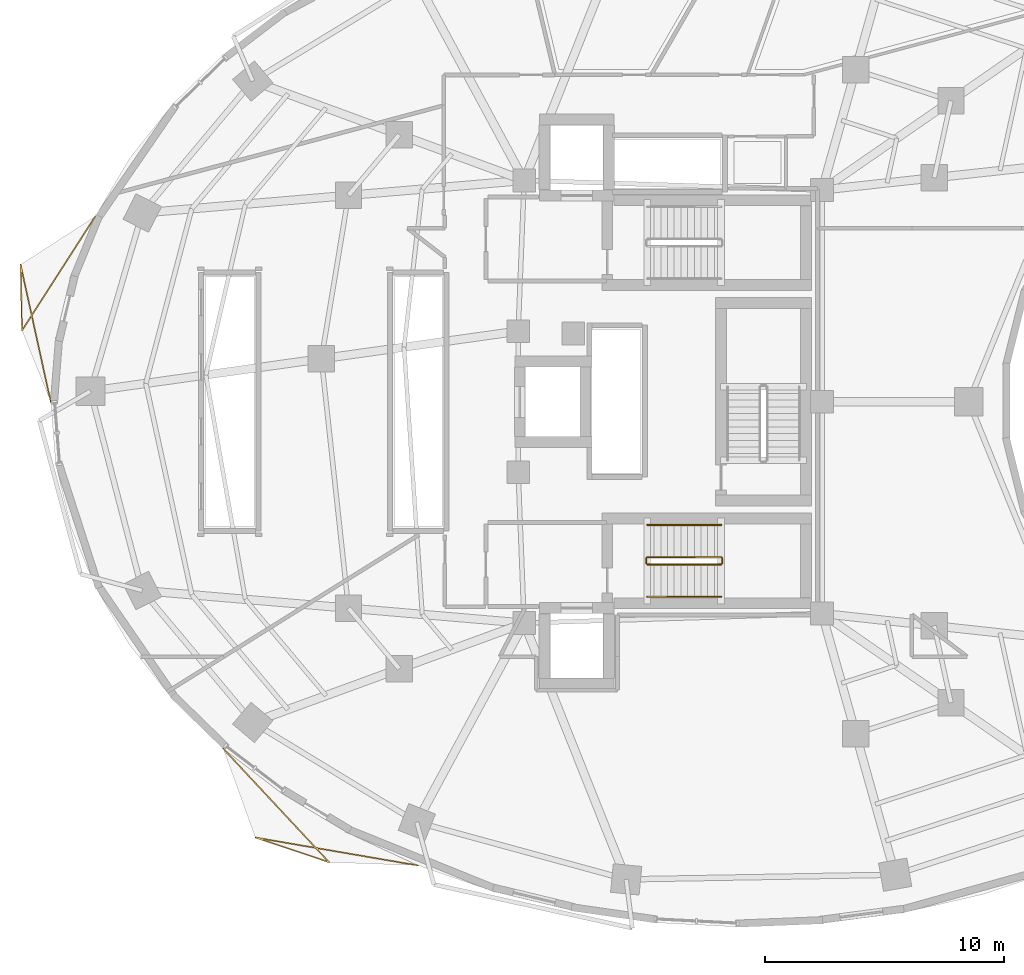
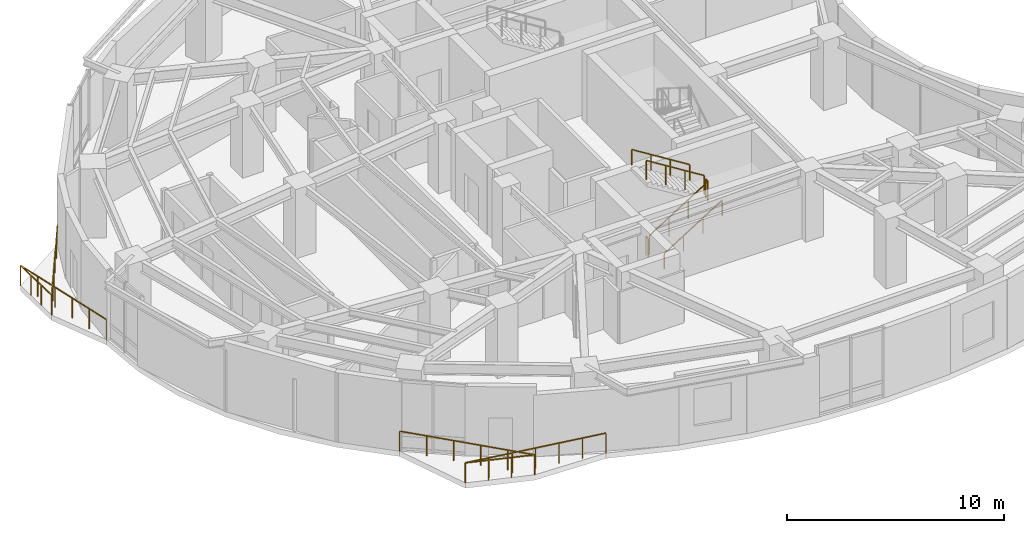
# One storey, part 11 of 12: 8 railings.
"""IFC4 building model written with IfcOpenShell, lengths in metres."""

from ifc_helpers import new_model, si_unit, direction, frame, origin, origin_2d, place, context, subcontext, project, spatial, rectangle, extrude, material, type_object, element, save


model = new_model("IFC4")

# Units and contexts
model_context = context("Model", 3, precision=1e-05, world=origin(), true_north=direction((0.0, 1.0)))
body_context = subcontext(model_context, "Body", "Model", "MODEL_VIEW")
ifc_project = project(units=[si_unit("LENGTHUNIT", "METRE"), si_unit("AREAUNIT", "SQUARE_METRE"), si_unit("VOLUMEUNIT", "CUBIC_METRE"), si_unit("PLANEANGLEUNIT", "RADIAN"), si_unit("MASSUNIT", "GRAM", prefix="KILO")], contexts=[model_context])

# Site, building, storey
site_placement = place(None, origin())
site = spatial("IfcSite", under=ifc_project, at=site_placement, CompositionType="ELEMENT")
building_placement = place(site_placement, origin())
building = spatial("IfcBuilding", under=site, at=building_placement, Name="Korentha Bioscience Tower", CompositionType="ELEMENT")
storey_placement = place(building_placement, frame((0.0, 0.0, 136.199951171875)))
storey = spatial("IfcBuildingStorey", under=building, at=storey_placement, Name="L31", CompositionType="ELEMENT", Elevation=136.199951171875)

# Railings
ifc_material_1 = material(Name="Stainless Steel 304", Category="steel")
railing_type_1 = type_object("IfcRailingType", Name="Brushed Stainless Stair Handrail 900", PredefinedType="HANDRAIL", material=ifc_material_1)
railing_1_placement = place(storey_placement, frame((30.25, 18.85009765625, 0.175048828125)))
element("IfcRailing", 1, at=railing_1_placement, inside=storey, type_object=railing_type_1, Name="L31 ST-2 stair handrail 1", PredefinedType="HANDRAIL", context=body_context, shape_type="SweptSolid", body=[
    extrude(rectangle(XDim=0.048095703125, YDim=0.048095703125, at=origin_2d()), frame((0.0, 0.0, 0.8759765625), z_axis=(0.847998304005, 0.0, 0.529998940003), x_axis=(0.0, 1.0, 0.0)), (0.0, 0.0, 1.0), 3.632080078125),
    extrude(rectangle(XDim=0.0419921875, YDim=0.0419921875, at=origin_2d()), origin(), (0.0, 0.0, 1.0), 0.851806640625),
    extrude(rectangle(XDim=0.0419921875, YDim=0.0419921875, at=origin_2d()), frame((1.026611328125, 0.0, 0.6416015625)), (0.0, 0.0, 1.0), 0.851806640625),
    extrude(rectangle(XDim=0.0419921875, YDim=0.0419921875, at=origin_2d()), frame((2.053466796875, 0.0, 1.283447265625)), (0.0, 0.0, 1.0), 0.851806640625),
    extrude(rectangle(XDim=0.0419921875, YDim=0.0419921875, at=origin_2d()), frame((3.080078125, 0.0, 1.925048828125)), (0.0, 0.0, 1.0), 0.851806640625),
])
railing_2_placement = place(storey_placement, frame((33.330078125, 21.85009765625, 2.275146484375)))
element("IfcRailing", 2, at=railing_2_placement, inside=storey, type_object=railing_type_1, Name="L31 ST-2 stair handrail 2", PredefinedType="HANDRAIL", context=body_context, shape_type="SweptSolid", body=[
    extrude(rectangle(XDim=0.048095703125, YDim=0.048095703125, at=origin_2d()), frame((0.0, 0.0, 0.8759765625), z_axis=(-0.848028513186, 0.0, 0.529950602248), x_axis=(0.0, -1.0, 0.0)), (0.0, 0.0, 1.0), 3.632080078125),
    extrude(rectangle(XDim=0.0419921875, YDim=0.0419921875, at=origin_2d()), origin(), (0.0, 0.0, 1.0), 0.851806640625),
    extrude(rectangle(XDim=0.0419921875, YDim=0.0419921875, at=origin_2d()), frame((-1.026611328125, 0.0, 0.6416015625)), (0.0, 0.0, 1.0), 0.851806640625),
    extrude(rectangle(XDim=0.0419921875, YDim=0.0419921875, at=origin_2d()), frame((-2.053466796875, 0.0, 1.283203125)), (0.0, 0.0, 1.0), 0.851806640625),
    extrude(rectangle(XDim=0.0419921875, YDim=0.0419921875, at=origin_2d()), frame((-3.080078125, 0.0, 1.9248046875)), (0.0, 0.0, 1.0), 0.851806640625),
])
ifc_material_2 = material(Name="Laminated Tempered Safety Glass", Category="glass")
railing_type_2 = type_object("IfcRailingType", Name="Laminated Glass Balcony Guardrail 1150", PredefinedType="BALUSTRADE", material=ifc_material_2)
railing_3_placement = place(storey_placement, frame((7.17626953125, 34.74609375, 0.0)))
element("IfcRailing", 3, at=railing_3_placement, inside=storey, type_object=railing_type_2, Name="L31 Balcony Guardrail 02", PredefinedType="BALUSTRADE", context=body_context, shape_type="SweptSolid", body=[
    extrude(rectangle(XDim=0.048095703125, YDim=0.048095703125, at=origin_2d()), frame((0.0, 0.0, 1.1259765625), z_axis=(-0.539985183443, -0.841674522403, 0.0), x_axis=(0.841674522403, -0.539985183443, 0.0)), (0.0, 0.0, 1.0), 5.6728515625),
    extrude(rectangle(XDim=0.048095703125, YDim=0.048095703125, at=origin_2d()), frame((-3.063232421875, -4.774658203125, 1.1259765625), z_axis=(-0.020618734894, 0.999787411289, 0.0), x_axis=(-0.999787411289, -0.020618734894, 0.0)), (0.0, 0.0, 1.0), 2.7587890625),
    extrude(rectangle(XDim=0.048095703125, YDim=0.048095703125, at=origin_2d()), frame((-3.1201171875, -2.016357421875, 1.1259765625), z_axis=(0.214417947437, -0.976742004737, 0.0), x_axis=(0.976742004737, 0.214417947437, 0.0)), (0.0, 0.0, 1.0), 5.8662109375),
    extrude(rectangle(XDim=0.0419921875, YDim=0.0419921875, at=origin_2d()), origin(), (0.0, 0.0, 1.0), 1.101806640625),
    extrude(rectangle(XDim=0.0419921875, YDim=0.0419921875, at=origin_2d()), frame((-0.612548828125, -0.954833984375, 0.0)), (0.0, 0.0, 1.0), 1.101806640625),
    extrude(rectangle(XDim=0.0419921875, YDim=0.0419921875, at=origin_2d()), frame((-1.225341796875, -1.909912109375, 0.0)), (0.0, 0.0, 1.0), 1.101806640625),
    extrude(rectangle(XDim=0.0419921875, YDim=0.0419921875, at=origin_2d()), frame((-1.837890625, -2.86474609375, 0.0)), (0.0, 0.0, 1.0), 1.101806640625),
    extrude(rectangle(XDim=0.0419921875, YDim=0.0419921875, at=origin_2d()), frame((-2.45068359375, -3.81982421875, 0.0)), (0.0, 0.0, 1.0), 1.101806640625),
    extrude(rectangle(XDim=0.0419921875, YDim=0.0419921875, at=origin_2d()), frame((-3.063232421875, -4.774658203125, 0.0)), (0.0, 0.0, 1.0), 1.101806640625),
    extrude(rectangle(XDim=0.0419921875, YDim=0.0419921875, at=origin_2d()), frame((-3.082275390625, -3.855224609375, 0.0)), (0.0, 0.0, 1.0), 1.101806640625),
    extrude(rectangle(XDim=0.0419921875, YDim=0.0419921875, at=origin_2d()), frame((-3.10107421875, -2.935791015625, 0.0)), (0.0, 0.0, 1.0), 1.101806640625),
    extrude(rectangle(XDim=0.0419921875, YDim=0.0419921875, at=origin_2d()), frame((-3.1201171875, -2.016357421875, 0.0)), (0.0, 0.0, 1.0), 1.101806640625),
    extrude(rectangle(XDim=0.0419921875, YDim=0.0419921875, at=origin_2d()), frame((-2.86865234375, -3.162353515625, 0.0)), (0.0, 0.0, 1.0), 1.101806640625),
    extrude(rectangle(XDim=0.0419921875, YDim=0.0419921875, at=origin_2d()), frame((-2.616943359375, -4.308349609375, 0.0)), (0.0, 0.0, 1.0), 1.101806640625),
    extrude(rectangle(XDim=0.0419921875, YDim=0.0419921875, at=origin_2d()), frame((-2.365478515625, -5.4541015625, 0.0)), (0.0, 0.0, 1.0), 1.101806640625),
    extrude(rectangle(XDim=0.0419921875, YDim=0.0419921875, at=origin_2d()), frame((-2.11376953125, -6.60009765625, 0.0)), (0.0, 0.0, 1.0), 1.101806640625),
    extrude(rectangle(XDim=0.0419921875, YDim=0.0419921875, at=origin_2d()), frame((-1.8623046875, -7.74609375, 0.0)), (0.0, 0.0, 1.0), 1.101806640625),
])
railing_4_placement = place(storey_placement, frame((12.52294921875, 12.504638671875, 0.0)))
element("IfcRailing", 4, at=railing_4_placement, inside=storey, type_object=railing_type_2, Name="L31 Balcony Guardrail 03", PredefinedType="BALUSTRADE", context=body_context, shape_type="SweptSolid", body=[
    extrude(rectangle(XDim=0.048095703125, YDim=0.048095703125, at=origin_2d()), frame((0.0, 0.0, 1.1259765625), z_axis=(0.682045068732, -0.731310142292, 0.0), x_axis=(0.731310142292, 0.682045068732, 0.0)), (0.0, 0.0, 1.0), 6.496826171875),
    extrude(rectangle(XDim=0.048095703125, YDim=0.048095703125, at=origin_2d()), frame((4.43115234375, -4.751220703125, 1.1259765625), z_axis=(-0.948112006436, 0.317936508207, 0.0), x_axis=(-0.317936508207, -0.948112006436, 0.0)), (0.0, 0.0, 1.0), 3.256591796875),
    extrude(rectangle(XDim=0.048095703125, YDim=0.048095703125, at=origin_2d()), frame((1.343505859375, -3.7158203125, 1.1259765625), z_axis=(0.985573893579, -0.169245680285, 0.0), x_axis=(0.169245680285, 0.985573893579, 0.0)), (0.0, 0.0, 1.0), 6.899658203125),
    extrude(rectangle(XDim=0.0419921875, YDim=0.0419921875, at=origin_2d()), origin(), (0.0, 0.0, 1.0), 1.101806640625),
    extrude(rectangle(XDim=0.0419921875, YDim=0.0419921875, at=origin_2d()), frame((0.88623046875, -0.9501953125, 0.0)), (0.0, 0.0, 1.0), 1.101806640625),
    extrude(rectangle(XDim=0.0419921875, YDim=0.0419921875, at=origin_2d()), frame((1.7724609375, -1.900390625, 0.0)), (0.0, 0.0, 1.0), 1.101806640625),
    extrude(rectangle(XDim=0.0419921875, YDim=0.0419921875, at=origin_2d()), frame((2.65869140625, -2.850830078125, 0.0)), (0.0, 0.0, 1.0), 1.101806640625),
    extrude(rectangle(XDim=0.0419921875, YDim=0.0419921875, at=origin_2d()), frame((3.544921875, -3.801025390625, 0.0)), (0.0, 0.0, 1.0), 1.101806640625),
    extrude(rectangle(XDim=0.0419921875, YDim=0.0419921875, at=origin_2d()), frame((4.43115234375, -4.751220703125, 0.0)), (0.0, 0.0, 1.0), 1.101806640625),
    extrude(rectangle(XDim=0.0419921875, YDim=0.0419921875, at=origin_2d()), frame((3.40185546875, -4.406005859375, 0.0)), (0.0, 0.0, 1.0), 1.101806640625),
    extrude(rectangle(XDim=0.0419921875, YDim=0.0419921875, at=origin_2d()), frame((2.372802734375, -4.06103515625, 0.0)), (0.0, 0.0, 1.0), 1.101806640625),
    extrude(rectangle(XDim=0.0419921875, YDim=0.0419921875, at=origin_2d()), frame((1.343505859375, -3.7158203125, 0.0)), (0.0, 0.0, 1.0), 1.101806640625),
    extrude(rectangle(XDim=0.0419921875, YDim=0.0419921875, at=origin_2d()), frame((2.476806640625, -3.910400390625, 0.0)), (0.0, 0.0, 1.0), 1.101806640625),
    extrude(rectangle(XDim=0.0419921875, YDim=0.0419921875, at=origin_2d()), frame((3.610107421875, -4.10498046875, 0.0)), (0.0, 0.0, 1.0), 1.101806640625),
    extrude(rectangle(XDim=0.0419921875, YDim=0.0419921875, at=origin_2d()), frame((4.74365234375, -4.2998046875, 0.0)), (0.0, 0.0, 1.0), 1.101806640625),
    extrude(rectangle(XDim=0.0419921875, YDim=0.0419921875, at=origin_2d()), frame((5.876953125, -4.494384765625, 0.0)), (0.0, 0.0, 1.0), 1.101806640625),
    extrude(rectangle(XDim=0.0419921875, YDim=0.0419921875, at=origin_2d()), frame((7.01025390625, -4.68896484375, 0.0)), (0.0, 0.0, 1.0), 1.101806640625),
    extrude(rectangle(XDim=0.0419921875, YDim=0.0419921875, at=origin_2d()), frame((8.1435546875, -4.883544921875, 0.0)), (0.0, 0.0, 1.0), 1.101806640625),
])
ifc_material_3 = material(Name="Painted Steel S275", Category="steel")
railing_type_3 = type_object("IfcRailingType", Name="Painted Steel Stair Well Guardrail 1100", PredefinedType="GUARDRAIL", material=ifc_material_3)
railing_5_placement = place(storey_placement, frame((30.25, 20.199951171875, 0.175048828125)))
element("IfcRailing", 5, at=railing_5_placement, inside=storey, type_object=railing_type_3, Name="L31 ST-2 stair guard 1", PredefinedType="GUARDRAIL", context=body_context, shape_type="SweptSolid", body=[
    extrude(rectangle(XDim=0.048095703125, YDim=0.048095703125, at=origin_2d()), frame((0.0, 0.0, 1.076171875), z_axis=(0.847998304005, 0.0, 0.529998940003), x_axis=(0.0, 1.0, 0.0)), (0.0, 0.0, 1.0), 3.632080078125),
    extrude(rectangle(XDim=0.0419921875, YDim=0.0419921875, at=origin_2d()), origin(), (0.0, 0.0, 1.0), 1.052001953125),
    extrude(rectangle(XDim=0.0419921875, YDim=0.0419921875, at=origin_2d()), frame((1.026611328125, 0.0, 0.6416015625)), (0.0, 0.0, 1.0), 1.052001953125),
    extrude(rectangle(XDim=0.0419921875, YDim=0.0419921875, at=origin_2d()), frame((2.053466796875, 0.0, 1.283447265625)), (0.0, 0.0, 1.0), 1.052001953125),
    extrude(rectangle(XDim=0.0419921875, YDim=0.0419921875, at=origin_2d()), frame((3.080078125, 0.0, 1.925048828125)), (0.0, 0.0, 1.0), 1.052001953125),
])
railing_6_placement = place(storey_placement, frame((33.3798828125, 20.25, 2.10009765625)))
element("IfcRailing", 6, at=railing_6_placement, inside=storey, type_object=railing_type_3, Name="L31 ST-2 stair guard 2", PredefinedType="GUARDRAIL", context=body_context, shape_type="SweptSolid", body=[
    extrude(rectangle(XDim=0.048095703125, YDim=0.048095703125, at=origin_2d()), frame((0.0, 0.0, 1.076171875), z_axis=(0.0, 1.0, 0.0), x_axis=(-1.0, 0.0, 0.0)), (0.0, 0.0, 1.0), 0.199951171875),
    extrude(rectangle(XDim=0.0419921875, YDim=0.0419921875, at=origin_2d()), origin(), (0.0, 0.0, 1.0), 1.052001953125),
    extrude(rectangle(XDim=0.0419921875, YDim=0.0419921875, at=origin_2d()), frame((0.0, 0.199951171875, 0.0)), (0.0, 0.0, 1.0), 1.052001953125),
])
railing_7_placement = place(storey_placement, frame((33.330078125, 20.5, 2.275146484375)))
element("IfcRailing", 7, at=railing_7_placement, inside=storey, type_object=railing_type_3, Name="L31 ST-2 stair guard 3", PredefinedType="GUARDRAIL", context=body_context, shape_type="SweptSolid", body=[
    extrude(rectangle(XDim=0.048095703125, YDim=0.048095703125, at=origin_2d()), frame((0.0, 0.0, 1.076171875), z_axis=(-0.848028513186, 0.0, 0.529950602248), x_axis=(0.0, -1.0, 0.0)), (0.0, 0.0, 1.0), 3.632080078125),
    extrude(rectangle(XDim=0.0419921875, YDim=0.0419921875, at=origin_2d()), origin(), (0.0, 0.0, 1.0), 1.052001953125),
    extrude(rectangle(XDim=0.0419921875, YDim=0.0419921875, at=origin_2d()), frame((-1.026611328125, 0.0, 0.6416015625)), (0.0, 0.0, 1.0), 1.052001953125),
    extrude(rectangle(XDim=0.0419921875, YDim=0.0419921875, at=origin_2d()), frame((-2.053466796875, 0.0, 1.283203125)), (0.0, 0.0, 1.0), 1.052001953125),
    extrude(rectangle(XDim=0.0419921875, YDim=0.0419921875, at=origin_2d()), frame((-3.080078125, 0.0, 1.9248046875)), (0.0, 0.0, 1.0), 1.052001953125),
])
railing_8_placement = place(storey_placement, frame((30.199951171875, 20.25, 0.0)))
element("IfcRailing", 8, at=railing_8_placement, inside=storey, type_object=railing_type_3, Name="L31 ST-2 stair guard 4", PredefinedType="GUARDRAIL", context=body_context, shape_type="SweptSolid", body=[
    extrude(rectangle(XDim=0.048095703125, YDim=0.048095703125, at=origin_2d()), frame((0.0, 0.0, 1.076171875), z_axis=(0.0, 1.0, 0.0), x_axis=(-1.0, 0.0, 0.0)), (0.0, 0.0, 1.0), 0.199951171875),
    extrude(rectangle(XDim=0.0419921875, YDim=0.0419921875, at=origin_2d()), origin(), (0.0, 0.0, 1.0), 1.052001953125),
    extrude(rectangle(XDim=0.0419921875, YDim=0.0419921875, at=origin_2d()), frame((0.0, 0.199951171875, 0.0)), (0.0, 0.0, 1.0), 1.052001953125),
])

save(model, "model.ifc")
